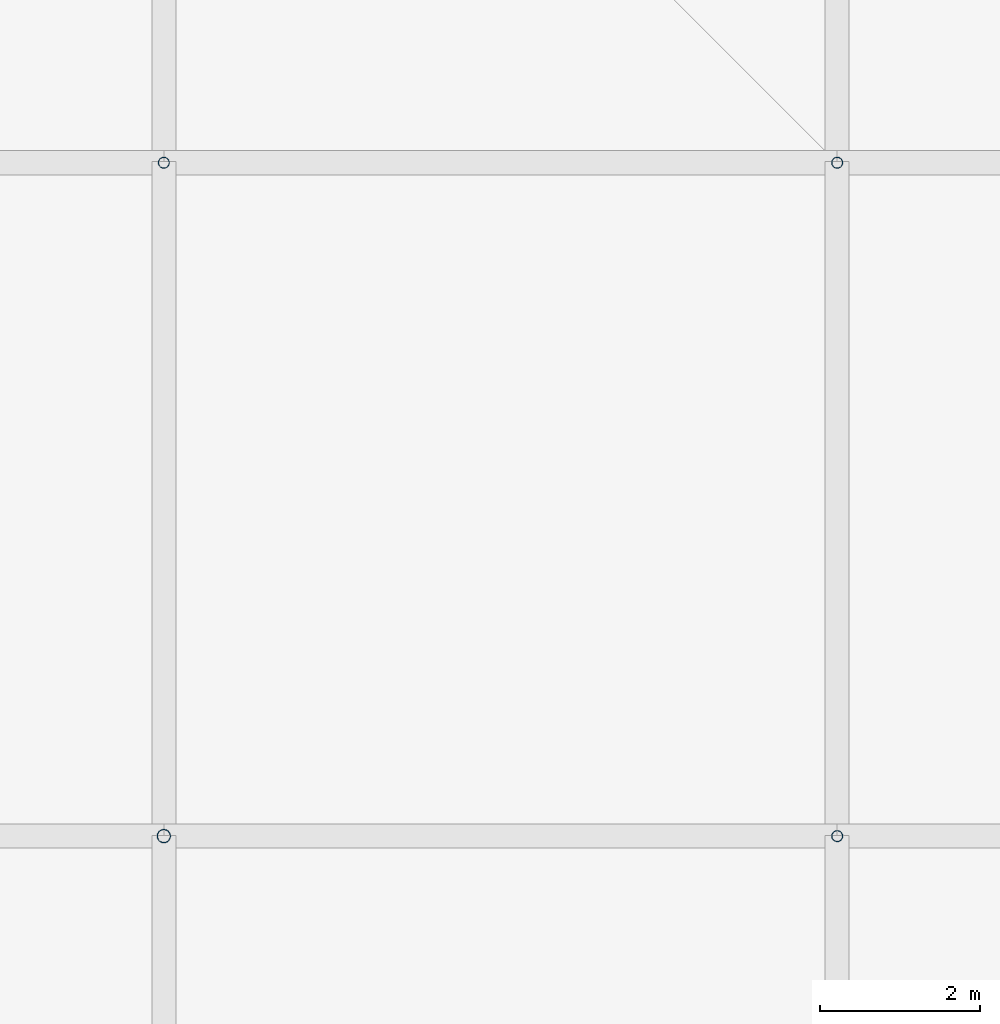
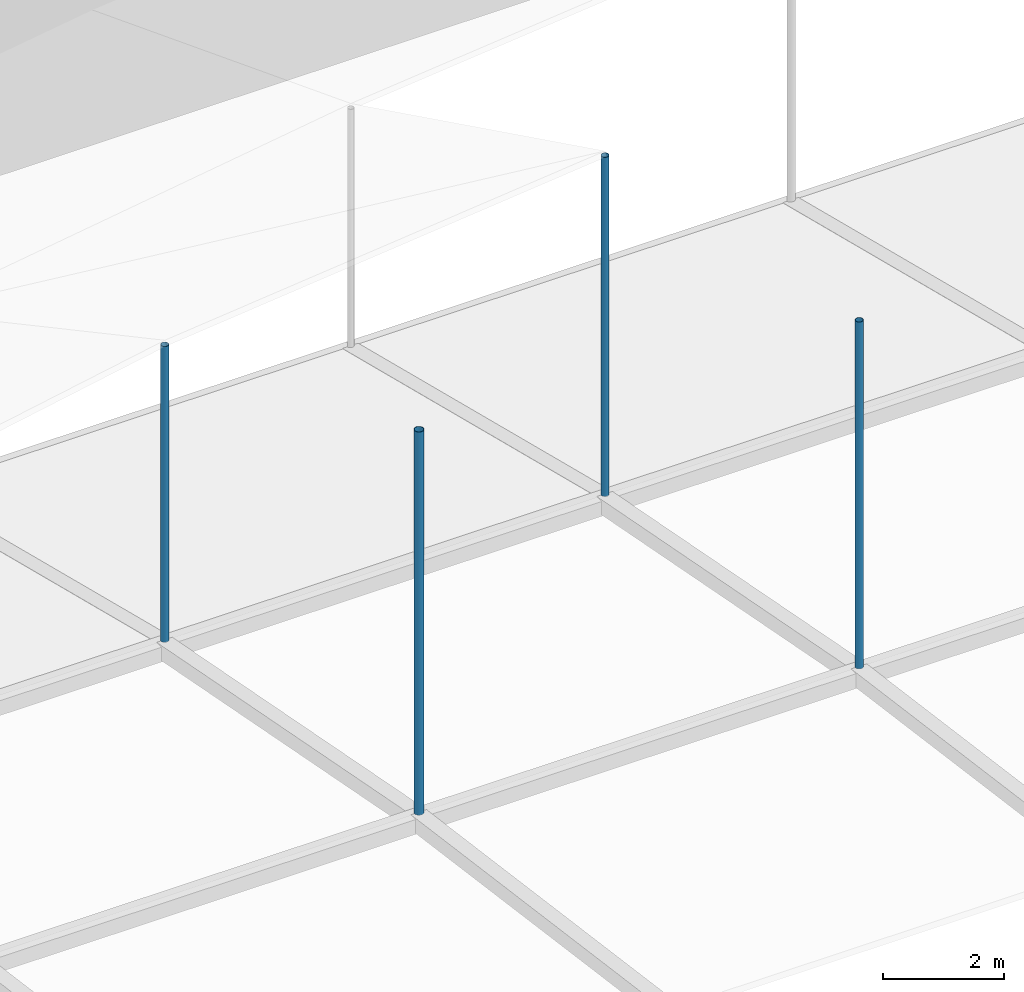
# One storey, part 60 of 111: 4 discrete accessories.
"""IFC4 building model written with IfcOpenShell, lengths in metres."""

from ifc_helpers import new_model, si_unit, direction, frame, origin, origin_2d, place, context, subcontext, project, spatial, hollow_circle, extrude, material, material_profile, profile_set, type_object, element, save


model = new_model("IFC4")

# Units and contexts
model_context = context("Model", 3, precision=1e-05, world=origin(), true_north=direction((0.0, 1.0)))
body_context = subcontext(model_context, "Body", "Model", "MODEL_VIEW")
ifc_project = project(units=[si_unit("LENGTHUNIT", "METRE"), si_unit("AREAUNIT", "SQUARE_METRE"), si_unit("VOLUMEUNIT", "CUBIC_METRE"), si_unit("PLANEANGLEUNIT", "RADIAN"), si_unit("MASSUNIT", "GRAM", prefix="KILO")], contexts=[model_context])

# Site, building, storey
site_placement = place(None, origin())
site = spatial("IfcSite", under=ifc_project, at=site_placement, CompositionType="ELEMENT")
building_placement = place(site_placement, origin())
building = spatial("IfcBuilding", under=site, at=building_placement, Name="Rain Tree Exposition and Congress Centre", CompositionType="ELEMENT")
storey_placement = place(building_placement, frame((0.0, 0.0, 19.5)))
storey = spatial("IfcBuildingStorey", under=building, at=storey_placement, Name="RF", CompositionType="ELEMENT", Elevation=19.5)

# Discrete accessories
ifc_material_1 = material(Name="Steel S355J2H", Category="steel")
ifc_material_profile_1 = material_profile(ifc_material_1, hollow_circle(Radius=0.06982421875, WallThickness=0.0048828125, at=origin_2d()), Name="CHS 140x5")
ifc_profile_set_1 = profile_set([ifc_material_profile_1], Name="Steel S355J2H")
discrete_accessory_type_1 = type_object("IfcDiscreteAccessoryType", Name="Roof skin post CHS 140x5", PredefinedType="BRACKET", material=ifc_profile_set_1)
discrete_accessory_1_placement = place(storey_placement, frame((92.39990234375, 176.39990234375, 4.843017578125), z_axis=(0.0, 0.0, 1.0), x_axis=(1.0, 0.0, 0.0)))
element("IfcDiscreteAccessory", 1, at=discrete_accessory_1_placement, inside=storey, type_object=discrete_accessory_type_1, Name="Roof skin post A146", PredefinedType="BRACKET", context=body_context, shape_type="SweptSolid", body=[
    extrude(hollow_circle(Radius=0.06982421875, WallThickness=0.0048828125, at=origin_2d()), origin(), (0.0, 0.0, 1.0), 6.99755859375),
])
discrete_accessory_2_placement = place(storey_placement, frame((84.0, 184.800048828125, 3.22412109375), z_axis=(0.0, 0.0, 1.0), x_axis=(1.0, 0.0, 0.0)))
element("IfcDiscreteAccessory", 2, at=discrete_accessory_2_placement, inside=storey, type_object=discrete_accessory_type_1, Name="Roof skin post A160", PredefinedType="BRACKET", context=body_context, shape_type="SweptSolid", body=[
    extrude(hollow_circle(Radius=0.06982421875, WallThickness=0.0048828125, at=origin_2d()), origin(), (0.0, 0.0, 1.0), 5.969970703125),
])
discrete_accessory_3_placement = place(storey_placement, frame((92.39990234375, 184.800048828125, 3.22412109375), z_axis=(0.0, 0.0, 1.0), x_axis=(1.0, 0.0, 0.0)))
element("IfcDiscreteAccessory", 3, at=discrete_accessory_3_placement, inside=storey, type_object=discrete_accessory_type_1, Name="Roof skin post A161", PredefinedType="BRACKET", context=body_context, shape_type="SweptSolid", body=[
    extrude(hollow_circle(Radius=0.06982421875, WallThickness=0.0048828125, at=origin_2d()), origin(), (0.0, 0.0, 1.0), 6.84716796875),
])
ifc_material_2 = material(Name="Steel S355J2H", Category="steel")
ifc_material_profile_2 = material_profile(ifc_material_2, hollow_circle(Radius=0.084228515625, WallThickness=0.006103515625, at=origin_2d()), Name="CHS 168x6")
ifc_profile_set_2 = profile_set([ifc_material_profile_2], Name="Steel S355J2H")
discrete_accessory_type_2 = type_object("IfcDiscreteAccessoryType", Name="Roof skin post CHS 168x6", PredefinedType="BRACKET", material=ifc_profile_set_2)
discrete_accessory_4_placement = place(storey_placement, frame((84.0, 176.39990234375, 4.843017578125), z_axis=(0.0, 0.0, 1.0), x_axis=(1.0, 0.0, 0.0)))
element("IfcDiscreteAccessory", 4, at=discrete_accessory_4_placement, inside=storey, type_object=discrete_accessory_type_2, Name="Roof skin post A145", PredefinedType="BRACKET", context=body_context, shape_type="SweptSolid", body=[
    extrude(hollow_circle(Radius=0.084228515625, WallThickness=0.006103515625, at=origin_2d()), origin(), (0.0, 0.0, 1.0), 7.731201171875),
])

save(model, "model.ifc")
